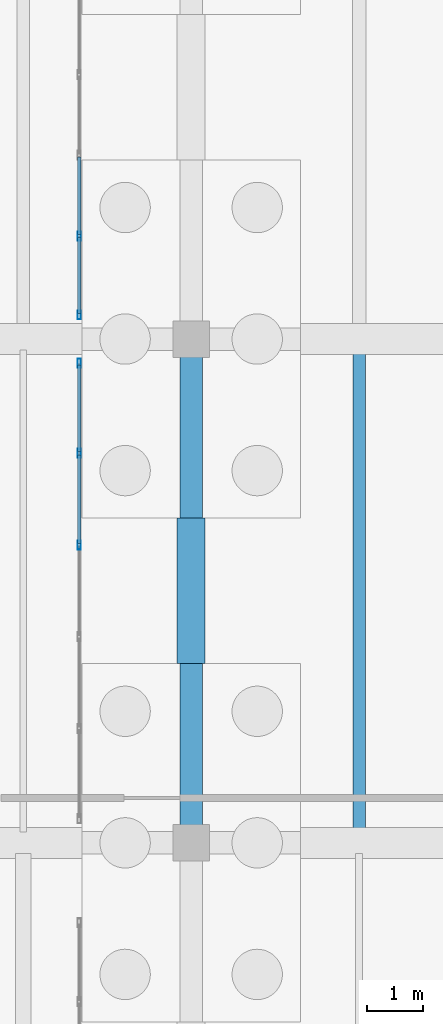
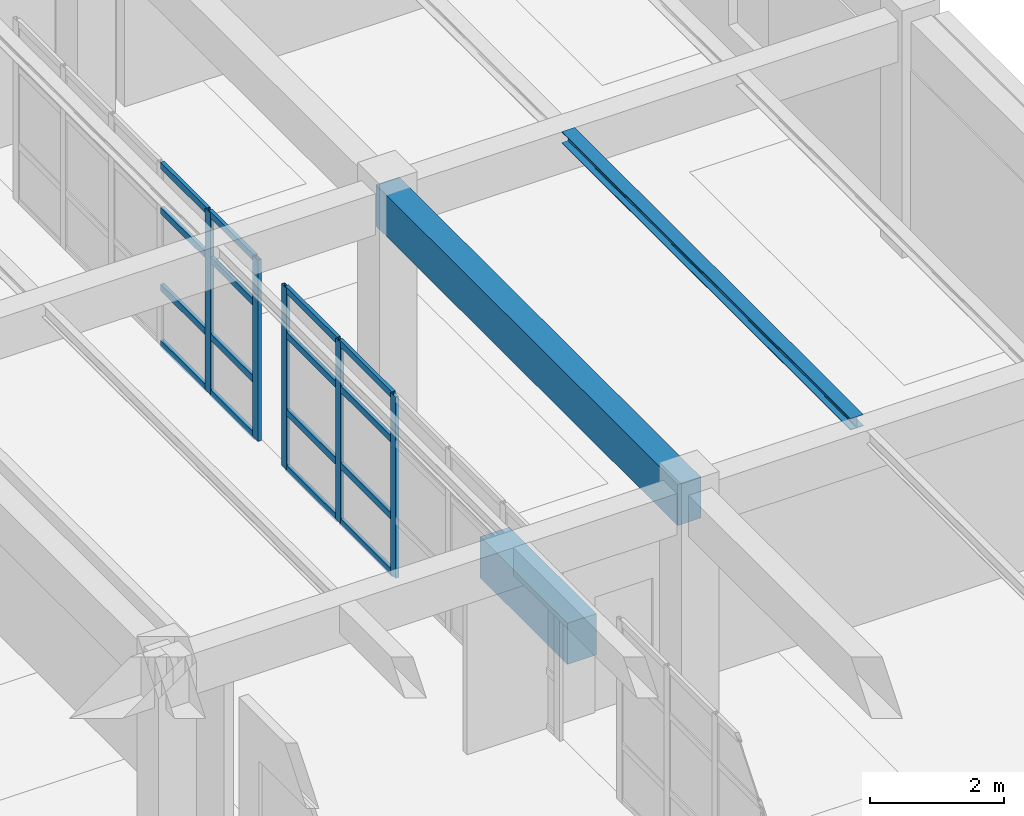
# One storey, part 119 of 186: 21 members, 3 beams, 2 elements without a shape of their own.
"""IFC4 building model written with IfcOpenShell, lengths in metres."""

import ifcopenshell
import ifcopenshell.guid

model = None  # the IFC model being written
_history = None  # IfcOwnerHistory: only IFC2X3 demands one
_inside = {}  # id of a spatial element -> (the spatial element, [elements in it])
_under = {}  # id of a project, library or spatial element -> (it, [spatial elements below it])
_declared = {}  # id of a project -> (the project, [libraries it declares])
_typed = {}  # id of a type object -> (the type object, [elements of that type])
_made_of = {}  # id of a material, layer set ... -> (it, [elements and type objects made of it])


def new_model(schema):
    """Start an empty IFC model of exactly this schema.

    Asked for "IFC4X3", IfcOpenShell would pick the latest addendum, in which some entities
    have other attributes; the version numbers below select the first issue.
    IFC2X3 requires an IfcOwnerHistory on every rooted entity: one is made here for all.
    """
    global model, _history
    if schema == "IFC4X3":
        model = ifcopenshell.file(schema_version=(4, 3, 0, 0))
    else:
        model = ifcopenshell.file(schema=schema)
    _inside.clear()
    _under.clear()
    _declared.clear()
    _typed.clear()
    _made_of.clear()
    _history = None
    if model.schema == "IFC2X3":
        org = make("IfcOrganization", Name="unknown")
        user = make(
            "IfcPersonAndOrganization",
            ThePerson=make("IfcPerson", FamilyName="unknown"),
            TheOrganization=org,
        )
        app = make(
            "IfcApplication",
            ApplicationDeveloper=org,
            Version="unknown",
            ApplicationFullName="unknown",
            ApplicationIdentifier="unknown",
        )
        _history = make(
            "IfcOwnerHistory",
            OwningUser=user,
            OwningApplication=app,
            ChangeAction="ADDED",
            CreationDate=0,
        )
    return model


def make(cls, **values):
    """One entity of the class cls with the attributes given. An attribute that is None is left unset."""
    return model.create_entity(
        cls, **{name: value for name, value in values.items() if value is not None}
    )


def rooted(cls, **values):
    """An entity with a GlobalId (a new one), such as an element, a storey or a relation."""
    return make(cls, GlobalId=ifcopenshell.guid.new(), OwnerHistory=_history, **values)


def si_unit(unit_type, name, prefix=None):
    """IfcSIUnit, for example si_unit("LENGTHUNIT", "METRE", prefix="MILLI")."""
    return make("IfcSIUnit", UnitType=unit_type, Prefix=prefix, Name=name)


def assignment(units):
    """IfcUnitAssignment: the units of a project."""
    return None if units is None else make("IfcUnitAssignment", Units=units)


def point(xyz):
    """IfcCartesianPoint."""
    return None if xyz is None else make("IfcCartesianPoint", Coordinates=xyz)


def direction(xyz):
    """IfcDirection."""
    return None if xyz is None else make("IfcDirection", DirectionRatios=xyz)


def frame(location, z_axis=None, x_axis=None):
    """IfcAxis2Placement3D, a coordinate frame: its origin and axes. An axis left out is left unset."""
    return make(
        "IfcAxis2Placement3D",
        Location=point(location),
        Axis=direction(z_axis),
        RefDirection=direction(x_axis),
    )


def frame_2d(location, x_axis=None):
    """IfcAxis2Placement2D, a coordinate frame in the plane: its origin and x axis."""
    return make(
        "IfcAxis2Placement2D", Location=point(location), RefDirection=direction(x_axis)
    )


def origin():
    """The frame at (0, 0, 0) with its axes left unset."""
    return frame((0.0, 0.0, 0.0))


def origin_2d():
    """The frame at (0, 0) in the plane with its x axis left unset."""
    return frame_2d((0.0, 0.0))


def place(relative_to, where):
    """IfcLocalPlacement: puts the frame where relative to a parent placement (None: the world)."""
    return make(
        "IfcLocalPlacement", PlacementRelTo=relative_to, RelativePlacement=where
    )


def context(
    kind, dimensions, precision=None, world=None, true_north=None, identifier=None
):
    """IfcGeometricRepresentationContext, for example the 3D "Model" context."""
    return make(
        "IfcGeometricRepresentationContext",
        ContextIdentifier=identifier,
        ContextType=kind,
        CoordinateSpaceDimension=dimensions,
        Precision=precision,
        WorldCoordinateSystem=world,
        TrueNorth=true_north,
    )


def subcontext(parent, identifier, kind, view, scale=None):
    """IfcGeometricRepresentationSubContext, for example "Body" below "Model"."""
    return make(
        "IfcGeometricRepresentationSubContext",
        ContextIdentifier=identifier,
        ContextType=kind,
        ParentContext=parent,
        TargetScale=scale,
        TargetView=view,
    )


def project(units=None, contexts=None):
    """IfcProject with its units and contexts."""
    return rooted(
        "IfcProject",
        Name="project",
        RepresentationContexts=contexts,
        UnitsInContext=assignment(units),
    )


def spatial(cls, under=None, at=None, **own):
    """A site, building, storey or space (cls), placed at a placement, below another one or the project."""
    s = rooted(cls, ObjectPlacement=at, **own)
    if under is not None:
        _under.setdefault(under.id(), (under, []))[1].append(s)
    return s


def profile(cls, at=None, kind="AREA", **sizes):
    """A parametric profile (cls). Its sizes go by their IFC names, for example OverallWidth=200.0."""
    return make(cls, ProfileType=kind, Position=at, **sizes)


def rectangle(**sizes):
    """IfcRectangleProfileDef."""
    return profile("IfcRectangleProfileDef", **sizes)


def hollow_rectangle(**sizes):
    """IfcRectangleHollowProfileDef."""
    return profile("IfcRectangleHollowProfileDef", **sizes)


def i_section(**sizes):
    """IfcIShapeProfileDef."""
    return profile("IfcIShapeProfileDef", **sizes)


def extrude(swept, where, along, depth):
    """IfcExtrudedAreaSolid: the profile swept, set in the frame where, extruded along a direction by depth."""
    return make(
        "IfcExtrudedAreaSolid",
        SweptArea=swept,
        Position=where,
        ExtrudedDirection=direction(along),
        Depth=depth,
    )


def shape(context_of_items, identifier, shape_type, items):
    """IfcShapeRepresentation: the items that make up one representation, for example the "Body"."""
    return make(
        "IfcShapeRepresentation",
        ContextOfItems=context_of_items,
        RepresentationIdentifier=identifier,
        RepresentationType=shape_type,
        Items=items,
    )


def material(Name=None, Category=None):
    """IfcMaterial."""
    return make("IfcMaterial", Name=Name, Category=Category)


def layer(
    of_material, thickness, ventilated=None, Name=None, Category=None, Priority=None
):
    """IfcMaterialLayer: one layer of a wall or slab, of a material (None: an air gap)."""
    return make(
        "IfcMaterialLayer",
        Material=of_material,
        LayerThickness=thickness,
        IsVentilated=ventilated,
        Name=Name,
        Category=Category,
        Priority=Priority,
    )


def layer_set(layers, Name=None):
    """IfcMaterialLayerSet."""
    return make("IfcMaterialLayerSet", MaterialLayers=layers, LayerSetName=Name)


def material_profile(
    of_material, cross_section, Name=None, Category=None, Priority=None
):
    """IfcMaterialProfile: a cross section and its material."""
    return make(
        "IfcMaterialProfile",
        Name=Name,
        Material=of_material,
        Profile=cross_section,
        Priority=Priority,
        Category=Category,
    )


def profile_set(profiles, Name=None, composite=None):
    """IfcMaterialProfileSet."""
    return make(
        "IfcMaterialProfileSet",
        Name=Name,
        MaterialProfiles=profiles,
        CompositeProfile=composite,
    )


def made_of(thing, what):
    """Note that an element or type object is made of a material, layer set ...; save() writes the relation."""
    if what is not None:
        _made_of.setdefault(what.id(), (what, []))[1].append(thing)
    return thing


def type_object(cls, material=None, **own):
    """A type object (cls), such as IfcWallType, which elements share."""
    return made_of(rooted(cls, **own), material)


def element(
    cls,
    number,
    at=None,
    inside=None,
    cuts=None,
    type_object=None,
    material=None,
    context=None,
    identifier="Body",
    shape_type=None,
    held_by="IfcProductDefinitionShape",
    body=None,
    shapes=None,
    **own,
):
    """One element of the class cls, such as IfcWall. Its Tag is "e" and its number.

    at: its placement. inside: the storey or other place that contains it. cuts: it is an
    opening in that element (IfcRelVoidsElement). A single representation is given by context,
    identifier, shape_type and body (its items); several are given by shapes. held_by: the class
    of the entity that holds the representations. save() writes the other relations.
    """
    e = rooted(cls, Tag="e%d" % number, ObjectPlacement=at, **own)
    if body is not None:
        shapes = [shape(context, identifier, shape_type, body)]
    if shapes is not None:
        e.Representation = make(held_by, Representations=shapes)
    if inside is not None:
        _inside.setdefault(inside.id(), (inside, []))[1].append(e)
    if cuts is not None:
        rooted(
            "IfcRelVoidsElement", RelatingBuildingElement=cuts, RelatedOpeningElement=e
        )
    if type_object is not None:
        _typed.setdefault(type_object.id(), (type_object, []))[1].append(e)
    return made_of(e, material)


def aggregate(whole, parts):
    """IfcRelAggregates: a whole, such as a stair, and the parts it consists of."""
    return rooted("IfcRelAggregates", RelatingObject=whole, RelatedObjects=parts)


def save(model, path):
    """Write the relations noted so far, then the file.

    IfcRelAggregates (storeys below a building ...), IfcRelContainedInSpatialStructure (elements
    in a storey), IfcRelDefinesByType, IfcRelAssociatesMaterial and IfcRelDeclares: one each for
    every whole, place, type object, material and project.
    """
    for whole, parts in _under.values():
        aggregate(whole, parts)
    for where, things in _inside.values():
        rooted(
            "IfcRelContainedInSpatialStructure",
            RelatedElements=things,
            RelatingStructure=where,
        )
    for kind, things in _typed.values():
        rooted("IfcRelDefinesByType", RelatedObjects=things, RelatingType=kind)
    for what, things in _made_of.values():
        rooted("IfcRelAssociatesMaterial", RelatedObjects=things, RelatingMaterial=what)
    for by, libraries in _declared.values():
        rooted("IfcRelDeclares", RelatingContext=by, RelatedDefinitions=libraries)
    model.write(path)


model = new_model("IFC4")

# Units and contexts
model_context = context("Model", 3, precision=1e-05, world=origin(), true_north=direction((0.0, 1.0)))
body_context = subcontext(model_context, "Body", "Model", "MODEL_VIEW")
ifc_project = project(units=[si_unit("LENGTHUNIT", "METRE"), si_unit("AREAUNIT", "SQUARE_METRE"), si_unit("VOLUMEUNIT", "CUBIC_METRE"), si_unit("PLANEANGLEUNIT", "RADIAN"), si_unit("MASSUNIT", "GRAM", prefix="KILO")], contexts=[model_context])

# Site, building, storey
site_placement = place(None, origin())
site = spatial("IfcSite", under=ifc_project, at=site_placement, CompositionType="ELEMENT")
building_placement = place(site_placement, origin())
building = spatial("IfcBuilding", under=site, at=building_placement, Name="Ornek Quay Market", CompositionType="ELEMENT")
storey_placement = place(building_placement, origin())
storey = spatial("IfcBuildingStorey", under=building, at=storey_placement, Name="L00", CompositionType="ELEMENT", Elevation=0.0)

# Beams
ifc_material_1 = material(Name="Concrete C35/45", Category="concrete")
ifc_material_profile_1 = material_profile(ifc_material_1, rectangle(XDim=0.39990234375, YDim=0.75, at=origin_2d()), Name="RC 400x750", Category="concrete")
ifc_profile_set_1 = profile_set([ifc_material_profile_1], Name="Concrete C35/45")
beam_type_1 = type_object("IfcBeamType", Name="BM-CS-400x750", PredefinedType="BEAM", material=ifc_profile_set_1)
beam_1_placement = place(storey_placement, frame((171.0, 47.0, 3.875), z_axis=(0.0, 1.0, 0.0), x_axis=(-1.0, 0.0, 0.0)))
element("IfcBeam", 1, at=beam_1_placement, inside=storey, type_object=beam_type_1, Name="Primary beam B-CS1-026", PredefinedType="BEAM", context=body_context, shape_type="SweptSolid", body=[
    extrude(rectangle(XDim=0.39990234375, YDim=0.75, at=origin_2d()), origin(), (0.0, 0.0, 1.0), 9.0),
])
ifc_material_profile_2 = material_profile(ifc_material_1, rectangle(XDim=0.5, YDim=0.75, at=origin_2d()), Name="RC 500x750", Category="concrete")
ifc_profile_set_2 = profile_set([ifc_material_profile_2], Name="Concrete C35/45")
beam_type_2 = type_object("IfcBeamType", Name="BM-GB-500x750", PredefinedType="BEAM", material=ifc_profile_set_2)
beam_2_placement = place(storey_placement, frame((171.0, 50.199951171875, -0.574951171875), z_axis=(0.0, 1.0, 0.0), x_axis=(-1.0, 0.0, 0.0)))
element("IfcBeam", 2, at=beam_2_placement, inside=storey, type_object=beam_type_2, Name="Ground tie beam GB-414", PredefinedType="BEAM", context=body_context, shape_type="SweptSolid", body=[
    extrude(rectangle(XDim=0.5, YDim=0.75, at=origin_2d()), origin(), (0.0, 0.0, 1.0), 2.60009765625),
])
ifc_material_2 = material(Name="Steel S355", Category="steel")
ifc_material_profile_3 = material_profile(ifc_material_2, i_section(OverallWidth=0.219970703125, OverallDepth=0.2099609375, WebThickness=0.007080078125, FlangeThickness=0.010986328125, FilletRadius=0.01806640625, at=origin_2d()), Name="HEA 220", Category="steel")
ifc_profile_set_3 = profile_set([ifc_material_profile_3], Name="Steel S355")
beam_type_3 = type_object("IfcBeamType", Name="BM-STL-HEA220", PredefinedType="BEAM", material=ifc_profile_set_3)
beam_3_placement = place(storey_placement, frame((174.0, 47.19189453125, 4.14501953125), z_axis=(0.0, 1.0, 0.0), x_axis=(-1.0, 0.0, 0.0)))
element("IfcBeam", 3, at=beam_3_placement, inside=storey, type_object=beam_type_3, Name="Secondary joist SB-13-021", PredefinedType="BEAM", context=body_context, shape_type="SweptSolid", body=[
    extrude(i_section(OverallWidth=0.219970703125, OverallDepth=0.2099609375, WebThickness=0.007080078125, FlangeThickness=0.010986328125, FilletRadius=0.01806640625, at=origin_2d()), origin(), (0.0, 0.0, 1.0), 8.6162109375),
])

# Curtain wall, members
ifc_material_3 = material(Name="Anodised bronze aluminium and triple low-e glass", Category="aluminium")
ifc_layer = layer(ifc_material_3, 0.139892578125, Name="Anodised bronze aluminium and triple low-e glass", Category="aluminium")
ifc_layer_set = layer_set([ifc_layer], Name="Anodised bronze aluminium and triple low-e glass")
curtain_wall_type = type_object("IfcCurtainWallType", Name="CW-GALLERY-INT", PredefinedType="USERDEFINED", material=ifc_layer_set)
curtain_wall_1_placement = place(storey_placement, origin())
curtain_wall_1 = element("IfcCurtainWall", 4, at=curtain_wall_1_placement, inside=storey, type_object=curtain_wall_type, Name="Curtain wall CW-161", ObjectType="CURTAIN WALL", PredefinedType="USERDEFINED")
ifc_material_4 = material(Name="Anodised aluminium 6063-T6", Category="aluminium")
ifc_material_profile_4 = material_profile(ifc_material_4, hollow_rectangle(XDim=0.06005859375, YDim=0.159912109375, WallThickness=0.00390625, at=origin_2d()), Name="CW-MUL-60x160", Category="aluminium")
ifc_profile_set_4 = profile_set([ifc_material_profile_4], Name="Anodised aluminium 6063-T6")
member_type_1 = type_object("IfcMemberType", Name="CW-MUL-60x160", PredefinedType="MULLION", material=ifc_profile_set_4)
member_1_placement = place(storey_placement, frame((169.0, 52.320068359375, 0.0), z_axis=(0.0, 0.0, 1.0), x_axis=(-1.0, 0.0, 0.0)))
member_1 = element("IfcMember", 5, at=member_1_placement, type_object=member_type_1, Name="CW-161 mullion 4", PredefinedType="MULLION", context=body_context, shape_type="SweptSolid", body=[
    extrude(hollow_rectangle(XDim=0.06005859375, YDim=0.159912109375, WallThickness=0.00390625, at=origin_2d()), origin(), (0.0, 0.0, 1.0), 3.300048828125),
])
member_2_placement = place(storey_placement, frame((169.0, 53.9599609375, 0.0), z_axis=(0.0, 0.0, 1.0), x_axis=(-1.0, 0.0, 0.0)))
member_2 = element("IfcMember", 6, at=member_2_placement, type_object=member_type_1, Name="CW-161 mullion 5", PredefinedType="MULLION", context=body_context, shape_type="SweptSolid", body=[
    extrude(hollow_rectangle(XDim=0.06005859375, YDim=0.159912109375, WallThickness=0.00390625, at=origin_2d()), origin(), (0.0, 0.0, 1.0), 3.300048828125),
])
member_3_placement = place(storey_placement, frame((169.0, 55.570068359375, 0.0), z_axis=(0.0, 0.0, 1.0), x_axis=(-1.0, 0.0, 0.0)))
member_3 = element("IfcMember", 7, at=member_3_placement, type_object=member_type_1, Name="CW-161 mullion 6", PredefinedType="MULLION", context=body_context, shape_type="SweptSolid", body=[
    extrude(hollow_rectangle(XDim=0.06005859375, YDim=0.159912109375, WallThickness=0.00390625, at=origin_2d()), origin(), (0.0, 0.0, 1.0), 3.300048828125),
])

curtain_wall_2_placement = place(storey_placement, origin())
curtain_wall_2 = element("IfcCurtainWall", 8, at=curtain_wall_2_placement, inside=storey, type_object=curtain_wall_type, Name="Curtain wall CW-162", ObjectType="CURTAIN WALL", PredefinedType="USERDEFINED")
member_4_placement = place(storey_placement, frame((169.0, 56.429931640625, 0.0), z_axis=(0.0, 0.0, 1.0), x_axis=(-1.0, 0.0, 0.0)))
member_4 = element("IfcMember", 9, at=member_4_placement, type_object=member_type_1, Name="CW-162 mullion 1", PredefinedType="MULLION", context=body_context, shape_type="SweptSolid", body=[
    extrude(hollow_rectangle(XDim=0.06005859375, YDim=0.159912109375, WallThickness=0.00390625, at=origin_2d()), origin(), (0.0, 0.0, 1.0), 3.300048828125),
])
member_5_placement = place(storey_placement, frame((169.0, 57.840087890625, 0.0), z_axis=(0.0, 0.0, 1.0), x_axis=(-1.0, 0.0, 0.0)))
member_5 = element("IfcMember", 10, at=member_5_placement, type_object=member_type_1, Name="CW-162 mullion 2", PredefinedType="MULLION", context=body_context, shape_type="SweptSolid", body=[
    extrude(hollow_rectangle(XDim=0.06005859375, YDim=0.159912109375, WallThickness=0.00390625, at=origin_2d()), origin(), (0.0, 0.0, 1.0), 3.300048828125),
])

# Member
ifc_material_profile_5 = material_profile(ifc_material_4, hollow_rectangle(XDim=0.06005859375, YDim=0.1201171875, WallThickness=0.00390625, at=origin_2d()), Name="CW-TRN-60x120", Category="aluminium")
ifc_profile_set_5 = profile_set([ifc_material_profile_5], Name="Anodised aluminium 6063-T6")
member_type_2 = type_object("IfcMemberType", Name="CW-TRN-60x120", PredefinedType="USERDEFINED", material=ifc_profile_set_5)
member_6_placement = place(storey_placement, frame((169.0, 52.35009765625, 0.030029296875), z_axis=(0.0, 1.0, 0.0), x_axis=(-1.0, 0.0, 0.0)))
member_6 = element("IfcMember", 11, at=member_6_placement, type_object=member_type_2, Name="CW-161 transom 4.1", ObjectType="TRANSOM", PredefinedType="USERDEFINED", context=body_context, shape_type="SweptSolid", body=[
    extrude(hollow_rectangle(XDim=0.06005859375, YDim=0.1201171875, WallThickness=0.00390625, at=origin_2d()), origin(), (0.0, 0.0, 1.0), 1.579833984375),
])

member_7_placement = place(storey_placement, frame((169.0, 52.35009765625, 1.050048828125), z_axis=(0.0, 1.0, 0.0), x_axis=(-1.0, 0.0, 0.0)))
member_7 = element("IfcMember", 12, at=member_7_placement, type_object=member_type_2, Name="CW-161 transom 4.2", ObjectType="TRANSOM", PredefinedType="USERDEFINED", context=body_context, shape_type="SweptSolid", body=[
    extrude(hollow_rectangle(XDim=0.06005859375, YDim=0.1201171875, WallThickness=0.00390625, at=origin_2d()), origin(), (0.0, 0.0, 1.0), 1.579833984375),
])

member_8_placement = place(storey_placement, frame((169.0, 52.35009765625, 2.449951171875), z_axis=(0.0, 1.0, 0.0), x_axis=(-1.0, 0.0, 0.0)))
member_8 = element("IfcMember", 13, at=member_8_placement, type_object=member_type_2, Name="CW-161 transom 4.3", ObjectType="TRANSOM", PredefinedType="USERDEFINED", context=body_context, shape_type="SweptSolid", body=[
    extrude(hollow_rectangle(XDim=0.06005859375, YDim=0.1201171875, WallThickness=0.00390625, at=origin_2d()), origin(), (0.0, 0.0, 1.0), 1.579833984375),
])

member_9_placement = place(storey_placement, frame((169.0, 52.35009765625, 3.27001953125), z_axis=(0.0, 1.0, 0.0), x_axis=(-1.0, 0.0, 0.0)))
member_9 = element("IfcMember", 14, at=member_9_placement, type_object=member_type_2, Name="CW-161 transom 4.4", ObjectType="TRANSOM", PredefinedType="USERDEFINED", context=body_context, shape_type="SweptSolid", body=[
    extrude(hollow_rectangle(XDim=0.06005859375, YDim=0.1201171875, WallThickness=0.00390625, at=origin_2d()), origin(), (0.0, 0.0, 1.0), 1.579833984375),
])

member_10_placement = place(storey_placement, frame((169.0, 53.989990234375, 0.030029296875), z_axis=(0.0, 1.0, 0.0), x_axis=(-1.0, 0.0, 0.0)))
member_10 = element("IfcMember", 15, at=member_10_placement, type_object=member_type_2, Name="CW-161 transom 5.1", ObjectType="TRANSOM", PredefinedType="USERDEFINED", context=body_context, shape_type="SweptSolid", body=[
    extrude(hollow_rectangle(XDim=0.06005859375, YDim=0.1201171875, WallThickness=0.00390625, at=origin_2d()), origin(), (0.0, 0.0, 1.0), 1.550048828125),
])

member_11_placement = place(storey_placement, frame((169.0, 53.989990234375, 1.050048828125), z_axis=(0.0, 1.0, 0.0), x_axis=(-1.0, 0.0, 0.0)))
member_11 = element("IfcMember", 16, at=member_11_placement, type_object=member_type_2, Name="CW-161 transom 5.2", ObjectType="TRANSOM", PredefinedType="USERDEFINED", context=body_context, shape_type="SweptSolid", body=[
    extrude(hollow_rectangle(XDim=0.06005859375, YDim=0.1201171875, WallThickness=0.00390625, at=origin_2d()), origin(), (0.0, 0.0, 1.0), 1.550048828125),
])

member_12_placement = place(storey_placement, frame((169.0, 53.989990234375, 2.449951171875), z_axis=(0.0, 1.0, 0.0), x_axis=(-1.0, 0.0, 0.0)))
member_12 = element("IfcMember", 17, at=member_12_placement, type_object=member_type_2, Name="CW-161 transom 5.3", ObjectType="TRANSOM", PredefinedType="USERDEFINED", context=body_context, shape_type="SweptSolid", body=[
    extrude(hollow_rectangle(XDim=0.06005859375, YDim=0.1201171875, WallThickness=0.00390625, at=origin_2d()), origin(), (0.0, 0.0, 1.0), 1.550048828125),
])

member_13_placement = place(storey_placement, frame((169.0, 53.989990234375, 3.27001953125), z_axis=(0.0, 1.0, 0.0), x_axis=(-1.0, 0.0, 0.0)))
member_13 = element("IfcMember", 18, at=member_13_placement, type_object=member_type_2, Name="CW-161 transom 5.4", ObjectType="TRANSOM", PredefinedType="USERDEFINED", context=body_context, shape_type="SweptSolid", body=[
    extrude(hollow_rectangle(XDim=0.06005859375, YDim=0.1201171875, WallThickness=0.00390625, at=origin_2d()), origin(), (0.0, 0.0, 1.0), 1.550048828125),
])

aggregate(curtain_wall_1, [member_1, member_2, member_3, member_6, member_7, member_8, member_9, member_10, member_11, member_12, member_13])

member_14_placement = place(storey_placement, frame((169.0, 56.4599609375, 0.030029296875), z_axis=(0.0, 1.0, 0.0), x_axis=(-1.0, 0.0, 0.0)))
member_14 = element("IfcMember", 19, at=member_14_placement, type_object=member_type_2, Name="CW-162 transom 1.1", ObjectType="TRANSOM", PredefinedType="USERDEFINED", context=body_context, shape_type="SweptSolid", body=[
    extrude(hollow_rectangle(XDim=0.06005859375, YDim=0.1201171875, WallThickness=0.00390625, at=origin_2d()), origin(), (0.0, 0.0, 1.0), 1.35009765625),
])

member_15_placement = place(storey_placement, frame((169.0, 56.4599609375, 1.050048828125), z_axis=(0.0, 1.0, 0.0), x_axis=(-1.0, 0.0, 0.0)))
member_15 = element("IfcMember", 20, at=member_15_placement, type_object=member_type_2, Name="CW-162 transom 1.2", ObjectType="TRANSOM", PredefinedType="USERDEFINED", context=body_context, shape_type="SweptSolid", body=[
    extrude(hollow_rectangle(XDim=0.06005859375, YDim=0.1201171875, WallThickness=0.00390625, at=origin_2d()), origin(), (0.0, 0.0, 1.0), 1.35009765625),
])

member_16_placement = place(storey_placement, frame((169.0, 56.4599609375, 2.449951171875), z_axis=(0.0, 1.0, 0.0), x_axis=(-1.0, 0.0, 0.0)))
member_16 = element("IfcMember", 21, at=member_16_placement, type_object=member_type_2, Name="CW-162 transom 1.3", ObjectType="TRANSOM", PredefinedType="USERDEFINED", context=body_context, shape_type="SweptSolid", body=[
    extrude(hollow_rectangle(XDim=0.06005859375, YDim=0.1201171875, WallThickness=0.00390625, at=origin_2d()), origin(), (0.0, 0.0, 1.0), 1.35009765625),
])

member_17_placement = place(storey_placement, frame((169.0, 56.4599609375, 3.27001953125), z_axis=(0.0, 1.0, 0.0), x_axis=(-1.0, 0.0, 0.0)))
member_17 = element("IfcMember", 22, at=member_17_placement, type_object=member_type_2, Name="CW-162 transom 1.4", ObjectType="TRANSOM", PredefinedType="USERDEFINED", context=body_context, shape_type="SweptSolid", body=[
    extrude(hollow_rectangle(XDim=0.06005859375, YDim=0.1201171875, WallThickness=0.00390625, at=origin_2d()), origin(), (0.0, 0.0, 1.0), 1.35009765625),
])

member_18_placement = place(storey_placement, frame((169.0, 57.8701171875, 0.030029296875), z_axis=(0.0, 1.0, 0.0), x_axis=(-1.0, 0.0, 0.0)))
member_18 = element("IfcMember", 23, at=member_18_placement, type_object=member_type_2, Name="CW-162 transom 2.1", ObjectType="TRANSOM", PredefinedType="USERDEFINED", context=body_context, shape_type="SweptSolid", body=[
    extrude(hollow_rectangle(XDim=0.06005859375, YDim=0.1201171875, WallThickness=0.00390625, at=origin_2d()), origin(), (0.0, 0.0, 1.0), 1.3798828125),
])

member_19_placement = place(storey_placement, frame((169.0, 57.8701171875, 1.050048828125), z_axis=(0.0, 1.0, 0.0), x_axis=(-1.0, 0.0, 0.0)))
member_19 = element("IfcMember", 24, at=member_19_placement, type_object=member_type_2, Name="CW-162 transom 2.2", ObjectType="TRANSOM", PredefinedType="USERDEFINED", context=body_context, shape_type="SweptSolid", body=[
    extrude(hollow_rectangle(XDim=0.06005859375, YDim=0.1201171875, WallThickness=0.00390625, at=origin_2d()), origin(), (0.0, 0.0, 1.0), 1.3798828125),
])

member_20_placement = place(storey_placement, frame((169.0, 57.8701171875, 2.449951171875), z_axis=(0.0, 1.0, 0.0), x_axis=(-1.0, 0.0, 0.0)))
member_20 = element("IfcMember", 25, at=member_20_placement, type_object=member_type_2, Name="CW-162 transom 2.3", ObjectType="TRANSOM", PredefinedType="USERDEFINED", context=body_context, shape_type="SweptSolid", body=[
    extrude(hollow_rectangle(XDim=0.06005859375, YDim=0.1201171875, WallThickness=0.00390625, at=origin_2d()), origin(), (0.0, 0.0, 1.0), 1.3798828125),
])

member_21_placement = place(storey_placement, frame((169.0, 57.8701171875, 3.27001953125), z_axis=(0.0, 1.0, 0.0), x_axis=(-1.0, 0.0, 0.0)))
member_21 = element("IfcMember", 26, at=member_21_placement, type_object=member_type_2, Name="CW-162 transom 2.4", ObjectType="TRANSOM", PredefinedType="USERDEFINED", context=body_context, shape_type="SweptSolid", body=[
    extrude(hollow_rectangle(XDim=0.06005859375, YDim=0.1201171875, WallThickness=0.00390625, at=origin_2d()), origin(), (0.0, 0.0, 1.0), 1.3798828125),
])

aggregate(curtain_wall_2, [member_4, member_5, member_14, member_15, member_16, member_17, member_18, member_19, member_20, member_21])

save(model, "model.ifc")
